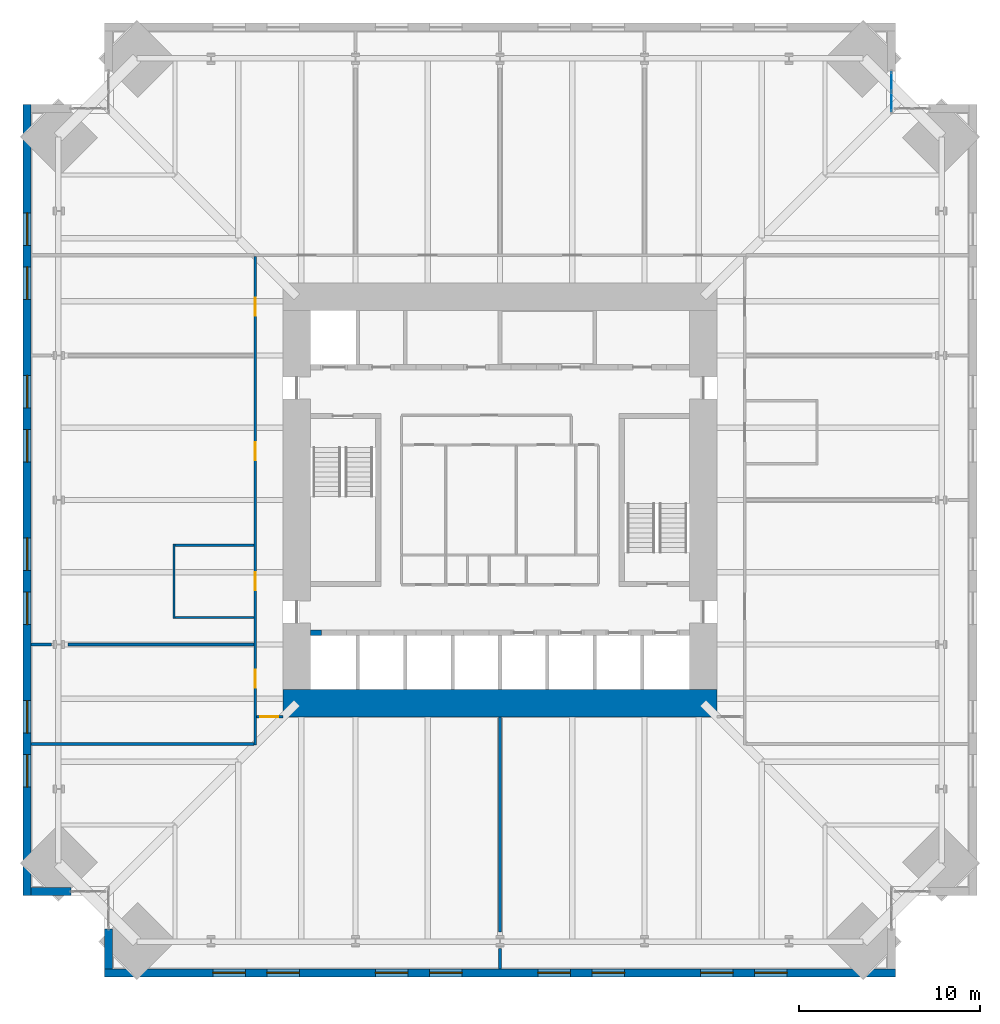
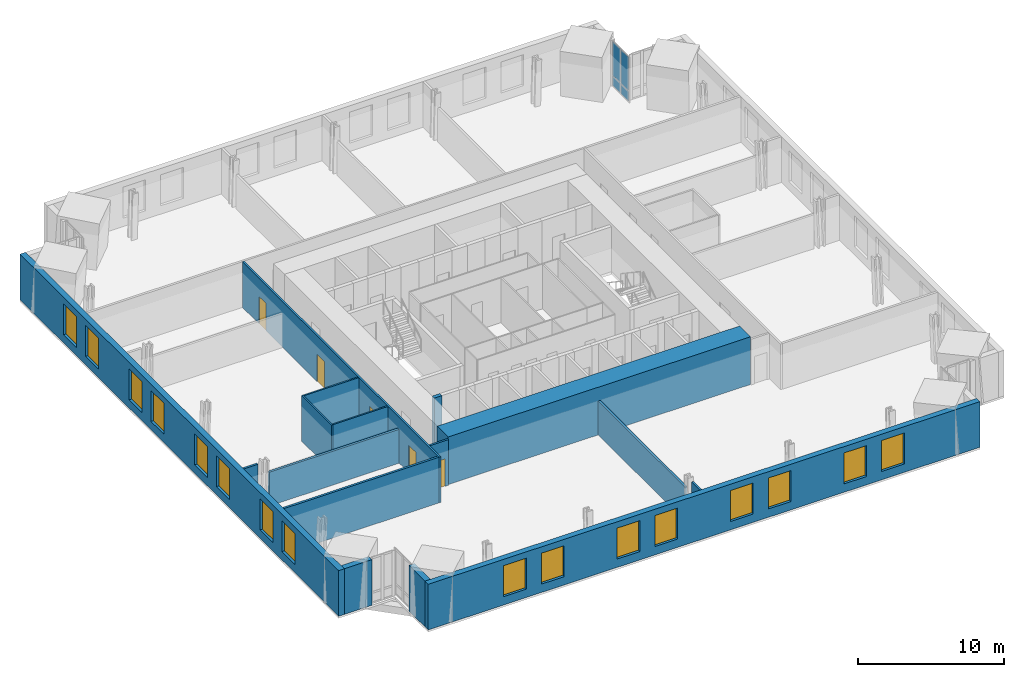
# One storey, part 13 of 18: 16 walls, 16 windows, 5 doors, 4 plates, 21 openings, 1 element without a shape of its own.
"""IFC4 building model written with IfcOpenShell, lengths in metres."""

from ifc_helpers import new_model, si_unit, direction, frame, frame_2d, origin, origin_2d, place, context, subcontext, project, spatial, rectangle, extrude, material, layer, layer_set, type_object, element, fill, aggregate, save


model = new_model("IFC4")

# Units and contexts
model_context = context("Model", 3, precision=1e-05, world=origin(), true_north=direction((0.0, 1.0)))
body_context = subcontext(model_context, "Body", "Model", "MODEL_VIEW")
ifc_project = project(units=[si_unit("LENGTHUNIT", "METRE"), si_unit("AREAUNIT", "SQUARE_METRE"), si_unit("VOLUMEUNIT", "CUBIC_METRE"), si_unit("PLANEANGLEUNIT", "RADIAN"), si_unit("MASSUNIT", "GRAM", prefix="KILO")], contexts=[model_context])

# Site, building, storey
site_placement = place(None, origin())
site = spatial("IfcSite", under=ifc_project, at=site_placement, CompositionType="ELEMENT")
building_placement = place(site_placement, origin())
building = spatial("IfcBuilding", under=site, at=building_placement, Name="Peilmerk Tower", CompositionType="ELEMENT")
storey_placement = place(building_placement, frame((0.0, 0.0, 159.800048828125)))
storey = spatial("IfcBuildingStorey", under=building, at=storey_placement, Name="L33", CompositionType="ELEMENT", Elevation=159.800048828125)

# Curtain wall, plates
ifc_material_1 = material(Name="Aluminium stick curtain wall", Category="aluminium")
curtain_wall_type = type_object("IfcCurtainWallType", Name="CW3 stick curtain wall, 2250 module", PredefinedType="NOTDEFINED", material=ifc_material_1)
curtain_wall_placement = place(storey_placement, origin())
curtain_wall = element("IfcCurtainWall", 1, at=curtain_wall_placement, inside=storey, type_object=curtain_wall_type, Name="Curtain wall CW3 NEA L33", PredefinedType="NOTDEFINED")
ifc_material_2 = material(Name="Clear insulated glazing unit", Category="glass")
ifc_layer_1 = layer(ifc_material_2, 0.028076171875)
ifc_layer_set_1 = layer_set([ifc_layer_1], Name="Clear insulated glazing unit")
plate_type = type_object("IfcPlateType", Name="CW3-P 28 glazed panel", PredefinedType="CURTAIN_PANEL", material=ifc_layer_set_1)
plate_1_placement = place(storey_placement, frame((21.675048828125, 22.038330078125, 0.06494140625), z_axis=(0.0, 0.0, 1.0), x_axis=(0.0, 1.0, 0.0)))
plate_1 = element("IfcPlate", 2, at=plate_1_placement, type_object=plate_type, Name="CW3 panel 1.1", PredefinedType="CURTAIN_PANEL", context=body_context, shape_type="SweptSolid", body=[
    extrude(rectangle(XDim=1.046875, YDim=0.028076171875, at=origin_2d()), origin(), (0.0, 0.0, 1.0), 0.802490234375),
])
plate_2_placement = place(storey_placement, frame((21.675048828125, 22.038330078125, 0.932373046875), z_axis=(0.0, 0.0, 1.0), x_axis=(0.0, 1.0, 0.0)))
plate_2 = element("IfcPlate", 3, at=plate_2_placement, type_object=plate_type, Name="CW3 panel 1.2", PredefinedType="CURTAIN_PANEL", context=body_context, shape_type="SweptSolid", body=[
    extrude(rectangle(XDim=1.046875, YDim=0.028076171875, at=origin_2d()), origin(), (0.0, 0.0, 1.0), 2.83251953125),
])
plate_3_placement = place(storey_placement, frame((21.675048828125, 23.150146484375, 0.06494140625), z_axis=(0.0, 0.0, 1.0), x_axis=(0.0, 1.0, 0.0)))
plate_3 = element("IfcPlate", 4, at=plate_3_placement, type_object=plate_type, Name="CW3 panel 2.1", PredefinedType="CURTAIN_PANEL", context=body_context, shape_type="SweptSolid", body=[
    extrude(rectangle(XDim=1.046875, YDim=0.028076171875, at=origin_2d()), origin(), (0.0, 0.0, 1.0), 0.802490234375),
])
plate_4_placement = place(storey_placement, frame((21.675048828125, 23.150146484375, 0.932373046875), z_axis=(0.0, 0.0, 1.0), x_axis=(0.0, 1.0, 0.0)))
plate_4 = element("IfcPlate", 5, at=plate_4_placement, type_object=plate_type, Name="CW3 panel 2.2", PredefinedType="CURTAIN_PANEL", context=body_context, shape_type="SweptSolid", body=[
    extrude(rectangle(XDim=1.046875, YDim=0.028076171875, at=origin_2d()), origin(), (0.0, 0.0, 1.0), 2.83251953125),
])
aggregate(curtain_wall, [plate_1, plate_2, plate_3, plate_4])

# Wall, openings, windows
ifc_material_3 = material(Name="Precast concrete C45/55, board-marked finish", Category="concrete")
ifc_layer_2 = layer(ifc_material_3, 0.449951171875)
ifc_layer_set_2 = layer_set([ifc_layer_2], Name="Precast concrete C45/55, board-marked finish")
wall_type_1 = type_object("IfcWallType", Name="EW1 450 precast concrete facade wall, board-marked", PredefinedType="SOLIDWALL", material=ifc_layer_set_2)
wall_1_placement = place(storey_placement, frame((-21.89990234375, -26.175048828125, 0.0), z_axis=(0.0, 0.0, 1.0), x_axis=(1.0, 0.0, 0.0)))
wall_1 = element("IfcWall", 6, at=wall_1_placement, inside=storey, type_object=wall_type_1, Name="Facade wall S L33", PredefinedType="SOLIDWALL", context=body_context, shape_type="SweptSolid", body=[
    extrude(rectangle(XDim=43.7998046875, YDim=0.449951171875, at=frame_2d((21.89990234375, 0.0))), origin(), (0.0, 0.0, 1.0), 3.829833984375),
])
opening_1_placement = place(wall_1_placement, frame((6.0, 0.0, 0.699951171875)))
opening_1 = element("IfcOpeningElement", 7, at=opening_1_placement, cuts=wall_1, Name="Opening W1", PredefinedType="OPENING", context=body_context, shape_type="SweptSolid", body=[
    extrude(rectangle(XDim=1.800048828125, YDim=2.60009765625, at=frame_2d((0.89990234375, 1.300048828125))), frame((0.0, 0.23486328125, 0.0), z_axis=(0.0, -1.0, 0.0), x_axis=(1.0, 0.0, 0.0)), (0.0, 0.0, 1.0), 0.469970703125),
])
opening_2_placement = place(wall_1_placement, frame((9.0, 0.0, 0.699951171875)))
opening_2 = element("IfcOpeningElement", 8, at=opening_2_placement, cuts=wall_1, Name="Opening W1", PredefinedType="OPENING", context=body_context, shape_type="SweptSolid", body=[
    extrude(rectangle(XDim=1.800048828125, YDim=2.60009765625, at=frame_2d((0.89990234375, 1.300048828125))), frame((0.0, 0.23486328125, 0.0), z_axis=(0.0, -1.0, 0.0), x_axis=(1.0, 0.0, 0.0)), (0.0, 0.0, 1.0), 0.469970703125),
])
opening_3_placement = place(wall_1_placement, frame((15.0, 0.0, 0.699951171875)))
opening_3 = element("IfcOpeningElement", 9, at=opening_3_placement, cuts=wall_1, Name="Opening W1", PredefinedType="OPENING", context=body_context, shape_type="SweptSolid", body=[
    extrude(rectangle(XDim=1.800048828125, YDim=2.60009765625, at=frame_2d((0.89990234375, 1.300048828125))), frame((0.0, 0.23486328125, 0.0), z_axis=(0.0, -1.0, 0.0), x_axis=(1.0, 0.0, 0.0)), (0.0, 0.0, 1.0), 0.469970703125),
])
opening_4_placement = place(wall_1_placement, frame((18.0, 0.0, 0.699951171875)))
opening_4 = element("IfcOpeningElement", 10, at=opening_4_placement, cuts=wall_1, Name="Opening W1", PredefinedType="OPENING", context=body_context, shape_type="SweptSolid", body=[
    extrude(rectangle(XDim=1.800048828125, YDim=2.60009765625, at=frame_2d((0.89990234375, 1.300048828125))), frame((0.0, 0.23486328125, 0.0), z_axis=(0.0, -1.0, 0.0), x_axis=(1.0, 0.0, 0.0)), (0.0, 0.0, 1.0), 0.469970703125),
])
opening_5_placement = place(wall_1_placement, frame((24.0, 0.0, 0.699951171875)))
opening_5 = element("IfcOpeningElement", 11, at=opening_5_placement, cuts=wall_1, Name="Opening W1", PredefinedType="OPENING", context=body_context, shape_type="SweptSolid", body=[
    extrude(rectangle(XDim=1.800048828125, YDim=2.60009765625, at=frame_2d((0.89990234375, 1.300048828125))), frame((0.0, 0.23486328125, 0.0), z_axis=(0.0, -1.0, 0.0), x_axis=(1.0, 0.0, 0.0)), (0.0, 0.0, 1.0), 0.469970703125),
])
opening_6_placement = place(wall_1_placement, frame((27.0, 0.0, 0.699951171875)))
opening_6 = element("IfcOpeningElement", 12, at=opening_6_placement, cuts=wall_1, Name="Opening W1", PredefinedType="OPENING", context=body_context, shape_type="SweptSolid", body=[
    extrude(rectangle(XDim=1.800048828125, YDim=2.60009765625, at=frame_2d((0.89990234375, 1.300048828125))), frame((0.0, 0.23486328125, 0.0), z_axis=(0.0, -1.0, 0.0), x_axis=(1.0, 0.0, 0.0)), (0.0, 0.0, 1.0), 0.469970703125),
])
opening_7_placement = place(wall_1_placement, frame((33.0, 0.0, 0.699951171875)))
opening_7 = element("IfcOpeningElement", 13, at=opening_7_placement, cuts=wall_1, Name="Opening W1", PredefinedType="OPENING", context=body_context, shape_type="SweptSolid", body=[
    extrude(rectangle(XDim=1.800048828125, YDim=2.60009765625, at=frame_2d((0.89990234375, 1.300048828125))), frame((0.0, 0.23486328125, 0.0), z_axis=(0.0, -1.0, 0.0), x_axis=(1.0, 0.0, 0.0)), (0.0, 0.0, 1.0), 0.469970703125),
])
opening_8_placement = place(wall_1_placement, frame((36.0, 0.0, 0.699951171875)))
opening_8 = element("IfcOpeningElement", 14, at=opening_8_placement, cuts=wall_1, Name="Opening W1", PredefinedType="OPENING", context=body_context, shape_type="SweptSolid", body=[
    extrude(rectangle(XDim=1.800048828125, YDim=2.60009765625, at=frame_2d((0.89990234375, 1.300048828125))), frame((0.0, 0.23486328125, 0.0), z_axis=(0.0, -1.0, 0.0), x_axis=(1.0, 0.0, 0.0)), (0.0, 0.0, 1.0), 0.469970703125),
])
ifc_material_4 = material(Name="Aluminium frame, clear double glazing", Category="aluminium")
window_type = type_object("IfcWindowType", Name="W1 1800x2600 office window", PartitioningType="SINGLE_PANEL", PredefinedType="WINDOW", material=ifc_material_4)
window_1_placement = place(opening_1_placement, origin())
window_1 = element("IfcWindow", 15, at=window_1_placement, inside=storey, type_object=window_type, Name="Window W1 L33", OverallHeight=2.60009765625, OverallWidth=1.800048828125, PartitioningType="SINGLE_PANEL", PredefinedType="WINDOW", context=body_context, shape_type="SweptSolid", body=[
    extrude(rectangle(XDim=1.800048828125, YDim=2.60009765625, at=frame_2d((0.89990234375, 1.300048828125))), frame((0.0, 0.030029296875, 0.0), z_axis=(0.0, -1.0, 0.0), x_axis=(1.0, 0.0, 0.0)), (0.0, 0.0, 1.0), 0.06005859375),
])
fill(opening_1, window_1)
window_2_placement = place(opening_2_placement, origin())
window_2 = element("IfcWindow", 16, at=window_2_placement, inside=storey, type_object=window_type, Name="Window W1 L33", OverallHeight=2.60009765625, OverallWidth=1.800048828125, PartitioningType="SINGLE_PANEL", PredefinedType="WINDOW", context=body_context, shape_type="SweptSolid", body=[
    extrude(rectangle(XDim=1.800048828125, YDim=2.60009765625, at=frame_2d((0.89990234375, 1.300048828125))), frame((0.0, 0.030029296875, 0.0), z_axis=(0.0, -1.0, 0.0), x_axis=(1.0, 0.0, 0.0)), (0.0, 0.0, 1.0), 0.06005859375),
])
fill(opening_2, window_2)
window_3_placement = place(opening_3_placement, origin())
window_3 = element("IfcWindow", 17, at=window_3_placement, inside=storey, type_object=window_type, Name="Window W1 L33", OverallHeight=2.60009765625, OverallWidth=1.800048828125, PartitioningType="SINGLE_PANEL", PredefinedType="WINDOW", context=body_context, shape_type="SweptSolid", body=[
    extrude(rectangle(XDim=1.800048828125, YDim=2.60009765625, at=frame_2d((0.89990234375, 1.300048828125))), frame((0.0, 0.030029296875, 0.0), z_axis=(0.0, -1.0, 0.0), x_axis=(1.0, 0.0, 0.0)), (0.0, 0.0, 1.0), 0.06005859375),
])
fill(opening_3, window_3)
window_4_placement = place(opening_4_placement, origin())
window_4 = element("IfcWindow", 18, at=window_4_placement, inside=storey, type_object=window_type, Name="Window W1 L33", OverallHeight=2.60009765625, OverallWidth=1.800048828125, PartitioningType="SINGLE_PANEL", PredefinedType="WINDOW", context=body_context, shape_type="SweptSolid", body=[
    extrude(rectangle(XDim=1.800048828125, YDim=2.60009765625, at=frame_2d((0.89990234375, 1.300048828125))), frame((0.0, 0.030029296875, 0.0), z_axis=(0.0, -1.0, 0.0), x_axis=(1.0, 0.0, 0.0)), (0.0, 0.0, 1.0), 0.06005859375),
])
fill(opening_4, window_4)
window_5_placement = place(opening_5_placement, origin())
window_5 = element("IfcWindow", 19, at=window_5_placement, inside=storey, type_object=window_type, Name="Window W1 L33", OverallHeight=2.60009765625, OverallWidth=1.800048828125, PartitioningType="SINGLE_PANEL", PredefinedType="WINDOW", context=body_context, shape_type="SweptSolid", body=[
    extrude(rectangle(XDim=1.800048828125, YDim=2.60009765625, at=frame_2d((0.89990234375, 1.300048828125))), frame((0.0, 0.030029296875, 0.0), z_axis=(0.0, -1.0, 0.0), x_axis=(1.0, 0.0, 0.0)), (0.0, 0.0, 1.0), 0.06005859375),
])
fill(opening_5, window_5)
window_6_placement = place(opening_6_placement, origin())
window_6 = element("IfcWindow", 20, at=window_6_placement, inside=storey, type_object=window_type, Name="Window W1 L33", OverallHeight=2.60009765625, OverallWidth=1.800048828125, PartitioningType="SINGLE_PANEL", PredefinedType="WINDOW", context=body_context, shape_type="SweptSolid", body=[
    extrude(rectangle(XDim=1.800048828125, YDim=2.60009765625, at=frame_2d((0.89990234375, 1.300048828125))), frame((0.0, 0.030029296875, 0.0), z_axis=(0.0, -1.0, 0.0), x_axis=(1.0, 0.0, 0.0)), (0.0, 0.0, 1.0), 0.06005859375),
])
fill(opening_6, window_6)
window_7_placement = place(opening_7_placement, origin())
window_7 = element("IfcWindow", 21, at=window_7_placement, inside=storey, type_object=window_type, Name="Window W1 L33", OverallHeight=2.60009765625, OverallWidth=1.800048828125, PartitioningType="SINGLE_PANEL", PredefinedType="WINDOW", context=body_context, shape_type="SweptSolid", body=[
    extrude(rectangle(XDim=1.800048828125, YDim=2.60009765625, at=frame_2d((0.89990234375, 1.300048828125))), frame((0.0, 0.030029296875, 0.0), z_axis=(0.0, -1.0, 0.0), x_axis=(1.0, 0.0, 0.0)), (0.0, 0.0, 1.0), 0.06005859375),
])
fill(opening_7, window_7)
window_8_placement = place(opening_8_placement, origin())
window_8 = element("IfcWindow", 22, at=window_8_placement, inside=storey, type_object=window_type, Name="Window W1 L33", OverallHeight=2.60009765625, OverallWidth=1.800048828125, PartitioningType="SINGLE_PANEL", PredefinedType="WINDOW", context=body_context, shape_type="SweptSolid", body=[
    extrude(rectangle(XDim=1.800048828125, YDim=2.60009765625, at=frame_2d((0.89990234375, 1.300048828125))), frame((0.0, 0.030029296875, 0.0), z_axis=(0.0, -1.0, 0.0), x_axis=(1.0, 0.0, 0.0)), (0.0, 0.0, 1.0), 0.06005859375),
])
fill(opening_8, window_8)

wall_2_placement = place(storey_placement, frame((-26.175048828125, 21.89990234375, 0.0), z_axis=(0.0, 0.0, 1.0), x_axis=(0.0, -1.0, 0.0)))
wall_2 = element("IfcWall", 23, at=wall_2_placement, inside=storey, type_object=wall_type_1, Name="Facade wall W L33", PredefinedType="SOLIDWALL", context=body_context, shape_type="SweptSolid", body=[
    extrude(rectangle(XDim=43.7998046875, YDim=0.449951171875, at=frame_2d((21.89990234375, 0.0))), origin(), (0.0, 0.0, 1.0), 3.829833984375),
])
opening_9_placement = place(wall_2_placement, frame((6.0, 0.0, 0.699951171875)))
opening_9 = element("IfcOpeningElement", 24, at=opening_9_placement, cuts=wall_2, Name="Opening W1", PredefinedType="OPENING", context=body_context, shape_type="SweptSolid", body=[
    extrude(rectangle(XDim=1.800048828125, YDim=2.60009765625, at=frame_2d((0.89990234375, 1.300048828125))), frame((0.0, 0.23486328125, 0.0), z_axis=(0.0, -1.0, 0.0), x_axis=(1.0, 0.0, 0.0)), (0.0, 0.0, 1.0), 0.469970703125),
])
opening_10_placement = place(wall_2_placement, frame((9.0, 0.0, 0.699951171875)))
opening_10 = element("IfcOpeningElement", 25, at=opening_10_placement, cuts=wall_2, Name="Opening W1", PredefinedType="OPENING", context=body_context, shape_type="SweptSolid", body=[
    extrude(rectangle(XDim=1.800048828125, YDim=2.60009765625, at=frame_2d((0.89990234375, 1.300048828125))), frame((0.0, 0.23486328125, 0.0), z_axis=(0.0, -1.0, 0.0), x_axis=(1.0, 0.0, 0.0)), (0.0, 0.0, 1.0), 0.469970703125),
])
opening_11_placement = place(wall_2_placement, frame((15.0, 0.0, 0.699951171875)))
opening_11 = element("IfcOpeningElement", 26, at=opening_11_placement, cuts=wall_2, Name="Opening W1", PredefinedType="OPENING", context=body_context, shape_type="SweptSolid", body=[
    extrude(rectangle(XDim=1.800048828125, YDim=2.60009765625, at=frame_2d((0.89990234375, 1.300048828125))), frame((0.0, 0.23486328125, 0.0), z_axis=(0.0, -1.0, 0.0), x_axis=(1.0, 0.0, 0.0)), (0.0, 0.0, 1.0), 0.469970703125),
])
opening_12_placement = place(wall_2_placement, frame((18.0, 0.0, 0.699951171875)))
opening_12 = element("IfcOpeningElement", 27, at=opening_12_placement, cuts=wall_2, Name="Opening W1", PredefinedType="OPENING", context=body_context, shape_type="SweptSolid", body=[
    extrude(rectangle(XDim=1.800048828125, YDim=2.60009765625, at=frame_2d((0.89990234375, 1.300048828125))), frame((0.0, 0.23486328125, 0.0), z_axis=(0.0, -1.0, 0.0), x_axis=(1.0, 0.0, 0.0)), (0.0, 0.0, 1.0), 0.469970703125),
])
opening_13_placement = place(wall_2_placement, frame((24.0, 0.0, 0.699951171875)))
opening_13 = element("IfcOpeningElement", 28, at=opening_13_placement, cuts=wall_2, Name="Opening W1", PredefinedType="OPENING", context=body_context, shape_type="SweptSolid", body=[
    extrude(rectangle(XDim=1.800048828125, YDim=2.60009765625, at=frame_2d((0.89990234375, 1.300048828125))), frame((0.0, 0.23486328125, 0.0), z_axis=(0.0, -1.0, 0.0), x_axis=(1.0, 0.0, 0.0)), (0.0, 0.0, 1.0), 0.469970703125),
])
opening_14_placement = place(wall_2_placement, frame((27.0, 0.0, 0.699951171875)))
opening_14 = element("IfcOpeningElement", 29, at=opening_14_placement, cuts=wall_2, Name="Opening W1", PredefinedType="OPENING", context=body_context, shape_type="SweptSolid", body=[
    extrude(rectangle(XDim=1.800048828125, YDim=2.60009765625, at=frame_2d((0.89990234375, 1.300048828125))), frame((0.0, 0.23486328125, 0.0), z_axis=(0.0, -1.0, 0.0), x_axis=(1.0, 0.0, 0.0)), (0.0, 0.0, 1.0), 0.469970703125),
])
opening_15_placement = place(wall_2_placement, frame((33.0, 0.0, 0.699951171875)))
opening_15 = element("IfcOpeningElement", 30, at=opening_15_placement, cuts=wall_2, Name="Opening W1", PredefinedType="OPENING", context=body_context, shape_type="SweptSolid", body=[
    extrude(rectangle(XDim=1.800048828125, YDim=2.60009765625, at=frame_2d((0.89990234375, 1.300048828125))), frame((0.0, 0.23486328125, 0.0), z_axis=(0.0, -1.0, 0.0), x_axis=(1.0, 0.0, 0.0)), (0.0, 0.0, 1.0), 0.469970703125),
])
opening_16_placement = place(wall_2_placement, frame((36.0, 0.0, 0.699951171875)))
opening_16 = element("IfcOpeningElement", 31, at=opening_16_placement, cuts=wall_2, Name="Opening W1", PredefinedType="OPENING", context=body_context, shape_type="SweptSolid", body=[
    extrude(rectangle(XDim=1.800048828125, YDim=2.60009765625, at=frame_2d((0.89990234375, 1.300048828125))), frame((0.0, 0.23486328125, 0.0), z_axis=(0.0, -1.0, 0.0), x_axis=(1.0, 0.0, 0.0)), (0.0, 0.0, 1.0), 0.469970703125),
])
window_9_placement = place(opening_9_placement, origin())
window_9 = element("IfcWindow", 32, at=window_9_placement, inside=storey, type_object=window_type, Name="Window W1 L33", OverallHeight=2.60009765625, OverallWidth=1.800048828125, PartitioningType="SINGLE_PANEL", PredefinedType="WINDOW", context=body_context, shape_type="SweptSolid", body=[
    extrude(rectangle(XDim=1.800048828125, YDim=2.60009765625, at=frame_2d((0.89990234375, 1.300048828125))), frame((0.0, 0.030029296875, 0.0), z_axis=(0.0, -1.0, 0.0), x_axis=(1.0, 0.0, 0.0)), (0.0, 0.0, 1.0), 0.06005859375),
])
fill(opening_9, window_9)
window_10_placement = place(opening_10_placement, origin())
window_10 = element("IfcWindow", 33, at=window_10_placement, inside=storey, type_object=window_type, Name="Window W1 L33", OverallHeight=2.60009765625, OverallWidth=1.800048828125, PartitioningType="SINGLE_PANEL", PredefinedType="WINDOW", context=body_context, shape_type="SweptSolid", body=[
    extrude(rectangle(XDim=1.800048828125, YDim=2.60009765625, at=frame_2d((0.89990234375, 1.300048828125))), frame((0.0, 0.030029296875, 0.0), z_axis=(0.0, -1.0, 0.0), x_axis=(1.0, 0.0, 0.0)), (0.0, 0.0, 1.0), 0.06005859375),
])
fill(opening_10, window_10)
window_11_placement = place(opening_11_placement, origin())
window_11 = element("IfcWindow", 34, at=window_11_placement, inside=storey, type_object=window_type, Name="Window W1 L33", OverallHeight=2.60009765625, OverallWidth=1.800048828125, PartitioningType="SINGLE_PANEL", PredefinedType="WINDOW", context=body_context, shape_type="SweptSolid", body=[
    extrude(rectangle(XDim=1.800048828125, YDim=2.60009765625, at=frame_2d((0.89990234375, 1.300048828125))), frame((0.0, 0.030029296875, 0.0), z_axis=(0.0, -1.0, 0.0), x_axis=(1.0, 0.0, 0.0)), (0.0, 0.0, 1.0), 0.06005859375),
])
fill(opening_11, window_11)
window_12_placement = place(opening_12_placement, origin())
window_12 = element("IfcWindow", 35, at=window_12_placement, inside=storey, type_object=window_type, Name="Window W1 L33", OverallHeight=2.60009765625, OverallWidth=1.800048828125, PartitioningType="SINGLE_PANEL", PredefinedType="WINDOW", context=body_context, shape_type="SweptSolid", body=[
    extrude(rectangle(XDim=1.800048828125, YDim=2.60009765625, at=frame_2d((0.89990234375, 1.300048828125))), frame((0.0, 0.030029296875, 0.0), z_axis=(0.0, -1.0, 0.0), x_axis=(1.0, 0.0, 0.0)), (0.0, 0.0, 1.0), 0.06005859375),
])
fill(opening_12, window_12)
window_13_placement = place(opening_13_placement, origin())
window_13 = element("IfcWindow", 36, at=window_13_placement, inside=storey, type_object=window_type, Name="Window W1 L33", OverallHeight=2.60009765625, OverallWidth=1.800048828125, PartitioningType="SINGLE_PANEL", PredefinedType="WINDOW", context=body_context, shape_type="SweptSolid", body=[
    extrude(rectangle(XDim=1.800048828125, YDim=2.60009765625, at=frame_2d((0.89990234375, 1.300048828125))), frame((0.0, 0.030029296875, 0.0), z_axis=(0.0, -1.0, 0.0), x_axis=(1.0, 0.0, 0.0)), (0.0, 0.0, 1.0), 0.06005859375),
])
fill(opening_13, window_13)
window_14_placement = place(opening_14_placement, origin())
window_14 = element("IfcWindow", 37, at=window_14_placement, inside=storey, type_object=window_type, Name="Window W1 L33", OverallHeight=2.60009765625, OverallWidth=1.800048828125, PartitioningType="SINGLE_PANEL", PredefinedType="WINDOW", context=body_context, shape_type="SweptSolid", body=[
    extrude(rectangle(XDim=1.800048828125, YDim=2.60009765625, at=frame_2d((0.89990234375, 1.300048828125))), frame((0.0, 0.030029296875, 0.0), z_axis=(0.0, -1.0, 0.0), x_axis=(1.0, 0.0, 0.0)), (0.0, 0.0, 1.0), 0.06005859375),
])
fill(opening_14, window_14)
window_15_placement = place(opening_15_placement, origin())
window_15 = element("IfcWindow", 38, at=window_15_placement, inside=storey, type_object=window_type, Name="Window W1 L33", OverallHeight=2.60009765625, OverallWidth=1.800048828125, PartitioningType="SINGLE_PANEL", PredefinedType="WINDOW", context=body_context, shape_type="SweptSolid", body=[
    extrude(rectangle(XDim=1.800048828125, YDim=2.60009765625, at=frame_2d((0.89990234375, 1.300048828125))), frame((0.0, 0.030029296875, 0.0), z_axis=(0.0, -1.0, 0.0), x_axis=(1.0, 0.0, 0.0)), (0.0, 0.0, 1.0), 0.06005859375),
])
fill(opening_15, window_15)
window_16_placement = place(opening_16_placement, origin())
window_16 = element("IfcWindow", 39, at=window_16_placement, inside=storey, type_object=window_type, Name="Window W1 L33", OverallHeight=2.60009765625, OverallWidth=1.800048828125, PartitioningType="SINGLE_PANEL", PredefinedType="WINDOW", context=body_context, shape_type="SweptSolid", body=[
    extrude(rectangle(XDim=1.800048828125, YDim=2.60009765625, at=frame_2d((0.89990234375, 1.300048828125))), frame((0.0, 0.030029296875, 0.0), z_axis=(0.0, -1.0, 0.0), x_axis=(1.0, 0.0, 0.0)), (0.0, 0.0, 1.0), 0.06005859375),
])
fill(opening_16, window_16)

# Walls
for number, where, z_axis, x_axis, name in (
    (40, (-21.675048828125, -23.753662109375, 0.0), (0.0, 0.0, 1.0), (0.0, -1.0, 0.0), "Facade wall SWA L33"),
    (41, (-23.753662109375, -21.675048828125, 0.0), (0.0, 0.0, 1.0), (-1.0, 0.0, 0.0), "Facade wall SWB L33"),
):
    element("IfcWall", number, at=place(storey_placement, frame(where, z_axis=z_axis, x_axis=x_axis)), inside=storey, type_object=wall_type_1, Name=name, PredefinedType="SOLIDWALL", context=body_context, shape_type="SweptSolid", body=[
        extrude(rectangle(XDim=2.1962890625, YDim=0.449951171875, at=frame_2d((1.09814453125, 0.0))), origin(), (0.0, 0.0, 1.0), 3.829833984375),
    ])

# Wall, openings, doors
ifc_material_5 = material(Name="Calcium silicate block", Category="masonry")
ifc_layer_3 = layer(ifc_material_5, 0.14990234375)
ifc_layer_set_3 = layer_set([ifc_layer_3], Name="Calcium silicate block")
wall_type_2 = type_object("IfcWallType", Name="IW1 150 corridor partition, EI 60", PredefinedType="PARTITIONING", material=ifc_layer_set_3)
wall_3_placement = place(storey_placement, frame((-13.550048828125, 13.47509765625, 0.0), z_axis=(0.0, 0.0, 1.0), x_axis=(0.0, -1.0, 0.0)))
wall_3 = element("IfcWall", 42, at=wall_3_placement, inside=storey, type_object=wall_type_2, Name="Corridor wall W L33", PredefinedType="PARTITIONING", context=body_context, shape_type="SweptSolid", body=[
    extrude(rectangle(XDim=27.050048828125, YDim=0.14990234375, at=frame_2d((13.52490234375, 0.0))), origin(), (0.0, 0.0, 1.0), 3.829833984375),
])
opening_17_placement = place(wall_3_placement, frame((22.875, 0.0, 0.0)))
opening_17 = element("IfcOpeningElement", 43, at=opening_17_placement, cuts=wall_3, Name="Opening D1", PredefinedType="OPENING", context=body_context, shape_type="SweptSolid", body=[
    extrude(rectangle(XDim=1.0, YDim=2.300048828125, at=frame_2d((0.5, 1.14990234375))), frame((0.0, 0.0849609375, 0.0), z_axis=(0.0, -1.0, 0.0), x_axis=(1.0, 0.0, 0.0)), (0.0, 0.0, 1.0), 0.169921875),
])
opening_18_placement = place(wall_3_placement, frame((10.27490234375, 0.0, 0.0)))
opening_18 = element("IfcOpeningElement", 44, at=opening_18_placement, cuts=wall_3, Name="Opening D1", PredefinedType="OPENING", context=body_context, shape_type="SweptSolid", body=[
    extrude(rectangle(XDim=1.0, YDim=2.300048828125, at=frame_2d((0.5, 1.14990234375))), frame((0.0, 0.0849609375, 0.0), z_axis=(0.0, -1.0, 0.0), x_axis=(1.0, 0.0, 0.0)), (0.0, 0.0, 1.0), 0.169921875),
])
opening_19_placement = place(wall_3_placement, frame((2.27490234375, 0.0, 0.0)))
opening_19 = element("IfcOpeningElement", 45, at=opening_19_placement, cuts=wall_3, Name="Opening D1", PredefinedType="OPENING", context=body_context, shape_type="SweptSolid", body=[
    extrude(rectangle(XDim=1.0, YDim=2.300048828125, at=frame_2d((0.5, 1.14990234375))), frame((0.0, 0.0849609375, 0.0), z_axis=(0.0, -1.0, 0.0), x_axis=(1.0, 0.0, 0.0)), (0.0, 0.0, 1.0), 0.169921875),
])
opening_20_placement = place(wall_3_placement, frame((17.47509765625, 0.0, 0.0)))
opening_20 = element("IfcOpeningElement", 46, at=opening_20_placement, cuts=wall_3, Name="Opening D1", PredefinedType="OPENING", context=body_context, shape_type="SweptSolid", body=[
    extrude(rectangle(XDim=1.0, YDim=2.300048828125, at=frame_2d((0.5, 1.14990234375))), frame((0.0, 0.0849609375, 0.0), z_axis=(0.0, -1.0, 0.0), x_axis=(1.0, 0.0, 0.0)), (0.0, 0.0, 1.0), 0.169921875),
])
ifc_material_6 = material(Name="Timber door in steel frame", Category="steel")
door_type = type_object("IfcDoorType", Name="D1 1000x2300 room door, EI2 30", OperationType="SINGLE_SWING_LEFT", PredefinedType="DOOR", material=ifc_material_6)
door_1_placement = place(opening_17_placement, frame((1.0, 0.0, 0.0), z_axis=(0.0, 0.0, 1.0), x_axis=(-1.0, 0.0, 0.0)))
door_1 = element("IfcDoor", 47, at=door_1_placement, inside=storey, type_object=door_type, Name="Door Office L33", OperationType="SINGLE_SWING_LEFT", OverallHeight=2.300048828125, OverallWidth=1.0, PredefinedType="DOOR", context=body_context, shape_type="SweptSolid", body=[
    extrude(rectangle(XDim=1.0, YDim=2.300048828125, at=frame_2d((0.5, 1.14990234375))), frame((0.0, 0.02490234375, 0.0), z_axis=(0.0, -1.0, 0.0), x_axis=(1.0, 0.0, 0.0)), (0.0, 0.0, 1.0), 0.050048828125),
])
fill(opening_17, door_1)
door_2_placement = place(opening_18_placement, frame((1.0, 0.0, 0.0), z_axis=(0.0, 0.0, 1.0), x_axis=(-1.0, 0.0, 0.0)))
door_2 = element("IfcDoor", 48, at=door_2_placement, inside=storey, type_object=door_type, Name="Door Office L33", OperationType="SINGLE_SWING_LEFT", OverallHeight=2.300048828125, OverallWidth=1.0, PredefinedType="DOOR", context=body_context, shape_type="SweptSolid", body=[
    extrude(rectangle(XDim=1.0, YDim=2.300048828125, at=frame_2d((0.5, 1.14990234375))), frame((0.0, 0.02490234375, 0.0), z_axis=(0.0, -1.0, 0.0), x_axis=(1.0, 0.0, 0.0)), (0.0, 0.0, 1.0), 0.050048828125),
])
fill(opening_18, door_2)
door_3_placement = place(opening_19_placement, frame((1.0, 0.0, 0.0), z_axis=(0.0, 0.0, 1.0), x_axis=(-1.0, 0.0, 0.0)))
door_3 = element("IfcDoor", 49, at=door_3_placement, inside=storey, type_object=door_type, Name="Door Office L33", OperationType="SINGLE_SWING_LEFT", OverallHeight=2.300048828125, OverallWidth=1.0, PredefinedType="DOOR", context=body_context, shape_type="SweptSolid", body=[
    extrude(rectangle(XDim=1.0, YDim=2.300048828125, at=frame_2d((0.5, 1.14990234375))), frame((0.0, 0.02490234375, 0.0), z_axis=(0.0, -1.0, 0.0), x_axis=(1.0, 0.0, 0.0)), (0.0, 0.0, 1.0), 0.050048828125),
])
fill(opening_19, door_3)
door_4_placement = place(opening_20_placement, frame((1.0, 0.0, 0.0), z_axis=(0.0, 0.0, 1.0), x_axis=(-1.0, 0.0, 0.0)))
door_4 = element("IfcDoor", 50, at=door_4_placement, inside=storey, type_object=door_type, Name="Door Meeting room L33", OperationType="SINGLE_SWING_LEFT", OverallHeight=2.300048828125, OverallWidth=1.0, PredefinedType="DOOR", context=body_context, shape_type="SweptSolid", body=[
    extrude(rectangle(XDim=1.0, YDim=2.300048828125, at=frame_2d((0.5, 1.14990234375))), frame((0.0, 0.02490234375, 0.0), z_axis=(0.0, -1.0, 0.0), x_axis=(1.0, 0.0, 0.0)), (0.0, 0.0, 1.0), 0.050048828125),
])
fill(opening_20, door_4)

# Wall, opening, door
wall_4_placement = place(storey_placement, frame((-12.0, -12.0, 0.0), z_axis=(0.0, 0.0, 1.0), x_axis=(-1.0, 0.0, 0.0)))
wall_4 = element("IfcWall", 51, at=wall_4_placement, inside=storey, type_object=wall_type_2, Name="Corridor wall SW L33", PredefinedType="PARTITIONING", context=body_context, shape_type="SweptSolid", body=[
    extrude(rectangle(XDim=1.47509765625, YDim=0.14990234375, at=frame_2d((0.737548828125, 0.0))), origin(), (0.0, 0.0, 1.0), 3.829833984375),
])
opening_21_placement = place(wall_4_placement, frame((0.27490234375, 0.0, 0.0)))
opening_21 = element("IfcOpeningElement", 52, at=opening_21_placement, cuts=wall_4, Name="Opening D1", PredefinedType="OPENING", context=body_context, shape_type="SweptSolid", body=[
    extrude(rectangle(XDim=1.0, YDim=2.300048828125, at=frame_2d((0.5, 1.14990234375))), frame((0.0, 0.0849609375, 0.0), z_axis=(0.0, -1.0, 0.0), x_axis=(1.0, 0.0, 0.0)), (0.0, 0.0, 1.0), 0.169921875),
])
door_5_placement = place(opening_21_placement, origin())
door_5 = element("IfcDoor", 53, at=door_5_placement, inside=storey, type_object=door_type, Name="Door Office L33", OperationType="SINGLE_SWING_LEFT", OverallHeight=2.300048828125, OverallWidth=1.0, PredefinedType="DOOR", context=body_context, shape_type="SweptSolid", body=[
    extrude(rectangle(XDim=1.0, YDim=2.300048828125, at=frame_2d((0.5, 1.14990234375))), frame((0.0, 0.02490234375, 0.0), z_axis=(0.0, -1.0, 0.0), x_axis=(1.0, 0.0, 0.0)), (0.0, 0.0, 1.0), 0.050048828125),
])
fill(opening_21, door_5)

# Walls
ifc_material_7 = material(Name="Plasterboard on steel studs, double boarded with mineral wool", Category="steel")
ifc_layer_4 = layer(ifc_material_7, 0.125)
ifc_layer_set_4 = layer_set([ifc_layer_4], Name="Plasterboard on steel studs, double boarded with mineral wool")
wall_type_3 = type_object("IfcWallType", Name="IW7 125 acoustic partition, EI 30", PredefinedType="PARTITIONING", material=ifc_layer_set_4)
wall_5_placement = place(storey_placement, frame((-18.050048828125, -6.5625, 0.0), z_axis=(0.0, 0.0, 1.0), x_axis=(0.0, 1.0, 0.0)))
element("IfcWall", 54, at=wall_5_placement, inside=storey, type_object=wall_type_3, Name="Acoustic partition Meeting room L33", PredefinedType="PARTITIONING", context=body_context, shape_type="SweptSolid", body=[
    extrude(rectangle(XDim=4.125, YDim=0.125, at=frame_2d((2.0625, 0.0))), origin(), (0.0, 0.0, 1.0), 3.829833984375),
])
for number, where, z_axis, x_axis, name in (
    (55, (-13.625, -6.5, 0.0), (0.0, 0.0, 1.0), (-1.0, 0.0, 0.0), "Acoustic partition Meeting room L33"),
    (56, (-13.625, -2.5, 0.0), (0.0, 0.0, 1.0), (-1.0, 0.0, 0.0), "Acoustic partition Meeting room L33"),
):
    element("IfcWall", number, at=place(storey_placement, frame(where, z_axis=z_axis, x_axis=x_axis)), inside=storey, type_object=wall_type_3, Name=name, PredefinedType="PARTITIONING", context=body_context, shape_type="SweptSolid", body=[
        extrude(rectangle(XDim=4.362548828125, YDim=0.125, at=frame_2d((2.18115234375, 0.0))), origin(), (0.0, 0.0, 1.0), 3.829833984375),
    ])
ifc_layer_5 = layer(ifc_material_5, 0.175048828125)
ifc_layer_set_5 = layer_set([ifc_layer_5], Name="Calcium silicate block")
wall_type_4 = type_object("IfcWallType", Name="IW8 175 tenant separating wall, EI 60", PredefinedType="PARTITIONING", material=ifc_layer_set_5)
wall_6_placement = place(storey_placement, frame((-13.625, -13.5, 0.0), z_axis=(0.0, 0.0, 1.0), x_axis=(-1.0, 0.0, 0.0)))
element("IfcWall", 57, at=wall_6_placement, inside=storey, type_object=wall_type_4, Name="Tenant separating wall SW L33", PredefinedType="PARTITIONING", context=body_context, shape_type="SweptSolid", body=[
    extrude(rectangle(XDim=12.324951171875, YDim=0.175048828125, at=frame_2d((6.16259765625, 0.0))), origin(), (0.0, 0.0, 1.0), 3.829833984375),
])
wall_7_placement = place(storey_placement, frame((0.0, -12.0, 0.0), z_axis=(0.0, 0.0, 1.0), x_axis=(0.0, -1.0, 0.0)))
element("IfcWall", 58, at=wall_7_placement, inside=storey, type_object=wall_type_4, Name="Tenant separating wall S1 L33", PredefinedType="PARTITIONING", context=body_context, shape_type="SweptSolid", body=[
    extrude(rectangle(XDim=11.927978515625, YDim=0.175048828125, at=frame_2d((5.9638671875, 0.0))), origin(), (0.0, 0.0, 1.0), 2.83984375),
])
wall_8_placement = place(storey_placement, frame((0.0, -24.817138671875, 0.0), z_axis=(0.0, 0.0, 1.0), x_axis=(0.0, -1.0, 0.0)))
element("IfcWall", 59, at=wall_8_placement, inside=storey, type_object=wall_type_4, Name="Tenant separating wall S1b L33", PredefinedType="PARTITIONING", context=body_context, shape_type="SweptSolid", body=[
    extrude(rectangle(XDim=1.1328125, YDim=0.175048828125, at=frame_2d((0.56640625, 0.0))), origin(), (0.0, 0.0, 1.0), 3.829833984375),
])
wall_9_placement = place(storey_placement, frame((-13.625, -8.0, 0.0), z_axis=(0.0, 0.0, 1.0), x_axis=(-1.0, 0.0, 0.0)))
element("IfcWall", 60, at=wall_9_placement, inside=storey, type_object=wall_type_4, Name="Tenant separating wall W1 L33", PredefinedType="PARTITIONING", context=body_context, shape_type="SweptSolid", body=[
    extrude(rectangle(XDim=10.302978515625, YDim=0.175048828125, at=frame_2d((5.1513671875, 0.0))), origin(), (0.0, 0.0, 1.0), 2.83984375),
])
wall_10_placement = place(storey_placement, frame((-24.817138671875, -8.0, 0.0), z_axis=(0.0, 0.0, 1.0), x_axis=(-1.0, 0.0, 0.0)))
element("IfcWall", 61, at=wall_10_placement, inside=storey, type_object=wall_type_4, Name="Tenant separating wall W1b L33", PredefinedType="PARTITIONING", context=body_context, shape_type="SweptSolid", body=[
    extrude(rectangle(XDim=1.1328125, YDim=0.175048828125, at=frame_2d((0.56640625, 0.0))), origin(), (0.0, 0.0, 1.0), 3.829833984375),
])
ifc_material_8 = material(Name="Concrete C55/67", Category="concrete")
ifc_layer_6 = layer(ifc_material_8, 1.5)
ifc_layer_set_6 = layer_set([ifc_layer_6], Name="Concrete C55/67")
wall_type_5 = type_object("IfcWallType", Name="SW1 1500 core wall", PredefinedType="SHEAR", material=ifc_layer_set_6)
wall_11_placement = place(storey_placement, frame((12.0, -11.25, 0.0), z_axis=(0.0, 0.0, 1.0), x_axis=(-1.0, 0.0, 0.0)))
element("IfcWall", 62, at=wall_11_placement, inside=storey, type_object=wall_type_5, Name="Core wall S L33", PredefinedType="SHEAR", context=body_context, shape_type="SweptSolid", body=[
    extrude(rectangle(XDim=24.0, YDim=1.5, at=frame_2d((12.0, 0.0))), origin(), (0.0, 0.0, 1.0), 4.0),
])
ifc_layer_7 = layer(ifc_material_8, 0.300048828125)
ifc_layer_set_7 = layer_set([ifc_layer_7], Name="Concrete C55/67")
wall_type_6 = type_object("IfcWallType", Name="SW2 300 lift bank pier", PredefinedType="SHEAR", material=ifc_layer_set_7)
wall_12_placement = place(storey_placement, frame((-10.5, -7.35009765625, 0.0), z_axis=(0.0, 0.0, 1.0), x_axis=(1.0, 0.0, 0.0)))
element("IfcWall", 63, at=wall_12_placement, inside=storey, type_object=wall_type_6, Name="Lift bank pier S L33", PredefinedType="SHEAR", context=body_context, shape_type="SweptSolid", body=[
    extrude(rectangle(XDim=0.612548828125, YDim=0.300048828125, at=frame_2d((0.30615234375, 0.0))), origin(), (0.0, 0.0, 1.0), 4.0),
])

save(model, "model.ifc")
